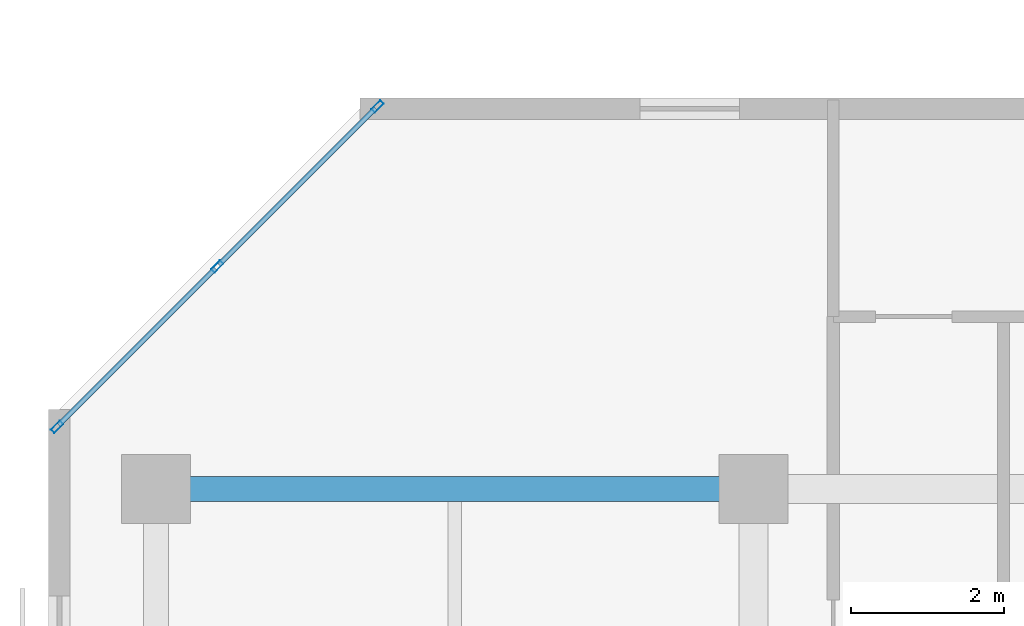
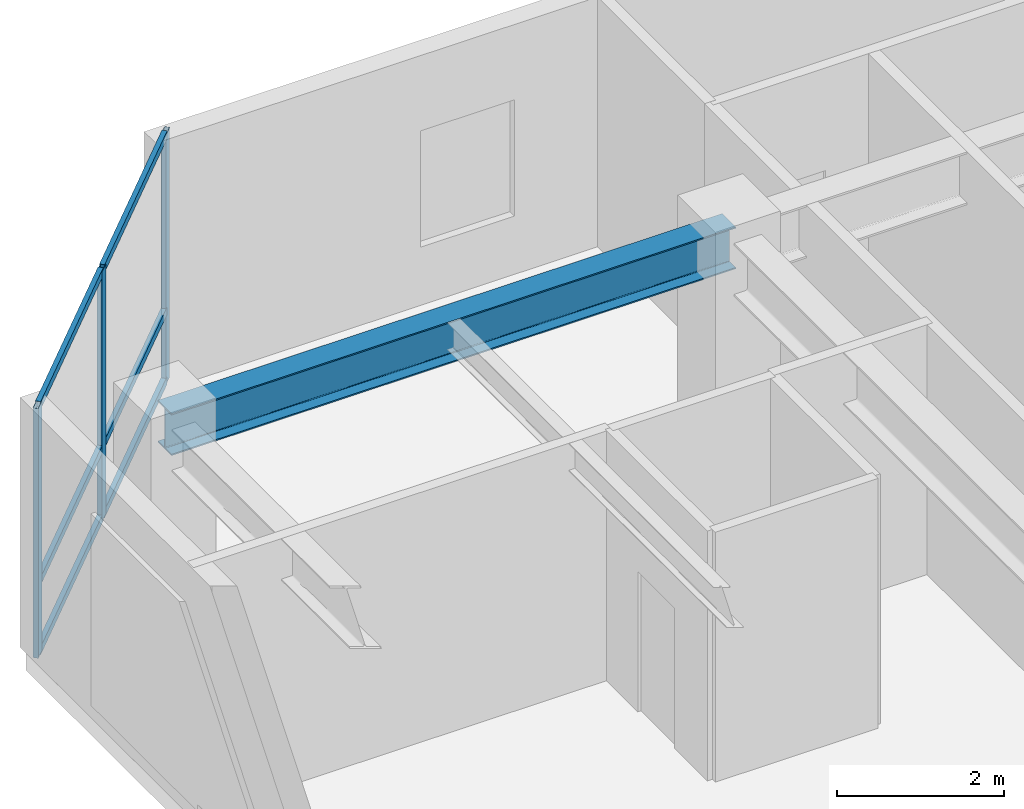
# One storey, part 2 of 10: 9 members, 1 beam, 1 element without a shape of its own.
"""IFC4 building model written with IfcOpenShell, lengths in metres."""

from ifc_helpers import new_model, si_unit, direction, frame, origin, origin_2d, place, context, subcontext, project, spatial, hollow_rectangle, i_section, extrude, material, layer, layer_set, material_profile, profile_set, type_object, element, aggregate, save


model = new_model("IFC4")

# Units and contexts
model_context = context("Model", 3, precision=1e-05, world=origin(), true_north=direction((0.0, 1.0)))
body_context = subcontext(model_context, "Body", "Model", "MODEL_VIEW")
ifc_project = project(units=[si_unit("LENGTHUNIT", "METRE"), si_unit("AREAUNIT", "SQUARE_METRE"), si_unit("VOLUMEUNIT", "CUBIC_METRE"), si_unit("PLANEANGLEUNIT", "RADIAN"), si_unit("MASSUNIT", "GRAM", prefix="KILO")], contexts=[model_context])

# Site, building, storey
site_placement = place(None, origin())
site = spatial("IfcSite", under=ifc_project, at=site_placement, CompositionType="ELEMENT")
building_placement = place(site_placement, origin())
building = spatial("IfcBuilding", under=site, at=building_placement, Name="Kestravale Grand Hotel", CompositionType="ELEMENT")
storey_placement = place(building_placement, frame((0.0, 0.0, 212.39990234375)))
storey = spatial("IfcBuildingStorey", under=building, at=storey_placement, Name="L53", CompositionType="ELEMENT", Elevation=212.39990234375)

# Beam
ifc_material_1 = material(Name="Steel ASTM A992 Grade 50", Category="steel")
ifc_material_profile_1 = material_profile(ifc_material_1, i_section(OverallWidth=0.324951171875, OverallDepth=0.612060546875, WebThickness=0.0126953125, FlangeThickness=0.01904296875, FilletRadius=0.018798828125, at=origin_2d()))
ifc_profile_set_1 = profile_set([ifc_material_profile_1], Name="Steel ASTM A992 Grade 50")
beam_type = type_object("IfcBeamType", Name="B-FLR-W24A", PredefinedType="SPANDREL", material=ifc_profile_set_1)
beam_placement = place(storey_placement, frame((7.800048828125, 38.39990234375, 3.343994140625), z_axis=(1.0, 0.0, 0.0), x_axis=(0.0, 1.0, 0.0)))
element("IfcBeam", 1, at=beam_placement, inside=storey, type_object=beam_type, Name="L53 spandrel F:2-3", PredefinedType="SPANDREL", context=body_context, shape_type="SweptSolid", body=[
    extrude(i_section(OverallWidth=0.324951171875, OverallDepth=0.612060546875, WebThickness=0.0126953125, FlangeThickness=0.01904296875, FilletRadius=0.018798828125, at=origin_2d()), origin(), (0.0, 0.0, 1.0), 7.800048828125),
])

# Curtain wall, members
ifc_material_2 = material(Name="Thermally broken champagne-bronze aluminium and low-E glazing", Category="aluminium")
ifc_layer = layer(ifc_material_2, 0.179931640625)
ifc_layer_set = layer_set([ifc_layer], Name="CW-Z3")
curtain_wall_type = type_object("IfcCurtainWallType", Name="CW-Z3", PredefinedType="NOTDEFINED", material=ifc_layer_set)
curtain_wall_placement = place(storey_placement, origin())
curtain_wall = element("IfcCurtainWall", 2, at=curtain_wall_placement, inside=storey, type_object=curtain_wall_type, Name="L53 unitised curtain wall 18", PredefinedType="NOTDEFINED")
ifc_material_3 = material(Name="Aluminium 6063-T6 anodised", Category="aluminium")
ifc_material_profile_2 = material_profile(ifc_material_3, hollow_rectangle(XDim=0.06494140625, YDim=0.1650390625, WallThickness=0.00341796875, at=origin_2d()))
ifc_profile_set_2 = profile_set([ifc_material_profile_2], Name="Aluminium 6063-T6 anodised")
member_type_1 = type_object("IfcMemberType", Name="CW-MUL-165", PredefinedType="MULLION", material=ifc_profile_set_2)
member_1_placement = place(storey_placement, frame((10.690185546875, 43.392333984375, 0.0), z_axis=(0.0, 0.0, 1.0), x_axis=(0.707106781187, -0.707106781187, 0.0)))
member_1 = element("IfcMember", 3, at=member_1_placement, type_object=member_type_1, Name="CW-Z3 mullion 1", PredefinedType="MULLION", context=body_context, shape_type="SweptSolid", body=[
    extrude(hollow_rectangle(XDim=0.06494140625, YDim=0.1650390625, WallThickness=0.00341796875, at=origin_2d()), origin(), (0.0, 0.0, 1.0), 3.650146484375),
])
member_2_placement = place(storey_placement, frame((8.59912109375, 41.301025390625, 0.0), z_axis=(0.0, 0.0, 1.0), x_axis=(0.707106781187, -0.707106781187, 0.0)))
member_2 = element("IfcMember", 4, at=member_2_placement, type_object=member_type_1, Name="CW-Z3 mullion 2", PredefinedType="MULLION", context=body_context, shape_type="SweptSolid", body=[
    extrude(hollow_rectangle(XDim=0.06494140625, YDim=0.1650390625, WallThickness=0.00341796875, at=origin_2d()), origin(), (0.0, 0.0, 1.0), 3.650146484375),
])
member_3_placement = place(storey_placement, frame((6.5078125, 39.209716796875, 0.0), z_axis=(0.0, 0.0, 1.0), x_axis=(0.707106781187, -0.707106781187, 0.0)))
member_3 = element("IfcMember", 5, at=member_3_placement, type_object=member_type_1, Name="CW-Z3 mullion 3", PredefinedType="MULLION", context=body_context, shape_type="SweptSolid", body=[
    extrude(hollow_rectangle(XDim=0.06494140625, YDim=0.1650390625, WallThickness=0.00341796875, at=origin_2d()), origin(), (0.0, 0.0, 1.0), 3.650146484375),
])
ifc_material_4 = material(Name="Aluminium 6063-T6 anodised", Category="aluminium")
ifc_material_profile_3 = material_profile(ifc_material_4, hollow_rectangle(XDim=0.06494140625, YDim=0.114990234375, WallThickness=0.003173828125, at=origin_2d()))
ifc_profile_set_3 = profile_set([ifc_material_profile_3], Name="Aluminium 6063-T6 anodised")
member_type_2 = type_object("IfcMemberType", Name="CW-TRN-115", PredefinedType="USERDEFINED", material=ifc_profile_set_3)
member_4_placement = place(storey_placement, frame((10.667236328125, 43.369140625, 0.03271484375), z_axis=(-0.707106781187, -0.707106781187, 0.0), x_axis=(0.707106781187, -0.707106781187, 0.0)))
member_4 = element("IfcMember", 6, at=member_4_placement, type_object=member_type_2, Name="CW-Z3 transom 1.1", ObjectType="TRANSOM", PredefinedType="USERDEFINED", context=body_context, shape_type="SweptSolid", body=[
    extrude(hollow_rectangle(XDim=0.06494140625, YDim=0.114990234375, WallThickness=0.003173828125, at=origin_2d()), origin(), (0.0, 0.0, 1.0), 2.892333984375),
])
member_5_placement = place(storey_placement, frame((10.667236328125, 43.369140625, 1.050048828125), z_axis=(-0.707106781187, -0.707106781187, 0.0), x_axis=(0.707106781187, -0.707106781187, 0.0)))
member_5 = element("IfcMember", 7, at=member_5_placement, type_object=member_type_2, Name="CW-Z3 transom 1.2", ObjectType="TRANSOM", PredefinedType="USERDEFINED", context=body_context, shape_type="SweptSolid", body=[
    extrude(hollow_rectangle(XDim=0.06494140625, YDim=0.114990234375, WallThickness=0.003173828125, at=origin_2d()), origin(), (0.0, 0.0, 1.0), 2.892333984375),
])
member_6_placement = place(storey_placement, frame((10.667236328125, 43.369140625, 3.61767578125), z_axis=(-0.707106781187, -0.707106781187, 0.0), x_axis=(0.707106781187, -0.707106781187, 0.0)))
member_6 = element("IfcMember", 8, at=member_6_placement, type_object=member_type_2, Name="CW-Z3 transom 1.3", ObjectType="TRANSOM", PredefinedType="USERDEFINED", context=body_context, shape_type="SweptSolid", body=[
    extrude(hollow_rectangle(XDim=0.06494140625, YDim=0.114990234375, WallThickness=0.003173828125, at=origin_2d()), origin(), (0.0, 0.0, 1.0), 2.892333984375),
])
member_7_placement = place(storey_placement, frame((8.575927734375, 41.278076171875, 0.03271484375), z_axis=(-0.707064577195, -0.707148982659, 0.0), x_axis=(0.707148982659, -0.707064577195, 0.0)))
member_7 = element("IfcMember", 9, at=member_7_placement, type_object=member_type_2, Name="CW-Z3 transom 2.1", ObjectType="TRANSOM", PredefinedType="USERDEFINED", context=body_context, shape_type="SweptSolid", body=[
    extrude(hollow_rectangle(XDim=0.06494140625, YDim=0.114990234375, WallThickness=0.003173828125, at=origin_2d()), origin(), (0.0, 0.0, 1.0), 2.892578125),
])
member_8_placement = place(storey_placement, frame((8.575927734375, 41.278076171875, 1.050048828125), z_axis=(-0.707064577195, -0.707148982659, 0.0), x_axis=(0.707148982659, -0.707064577195, 0.0)))
member_8 = element("IfcMember", 10, at=member_8_placement, type_object=member_type_2, Name="CW-Z3 transom 2.2", ObjectType="TRANSOM", PredefinedType="USERDEFINED", context=body_context, shape_type="SweptSolid", body=[
    extrude(hollow_rectangle(XDim=0.06494140625, YDim=0.114990234375, WallThickness=0.003173828125, at=origin_2d()), origin(), (0.0, 0.0, 1.0), 2.892578125),
])
member_9_placement = place(storey_placement, frame((8.575927734375, 41.278076171875, 3.61767578125), z_axis=(-0.707064577195, -0.707148982659, 0.0), x_axis=(0.707148982659, -0.707064577195, 0.0)))
member_9 = element("IfcMember", 11, at=member_9_placement, type_object=member_type_2, Name="CW-Z3 transom 2.3", ObjectType="TRANSOM", PredefinedType="USERDEFINED", context=body_context, shape_type="SweptSolid", body=[
    extrude(hollow_rectangle(XDim=0.06494140625, YDim=0.114990234375, WallThickness=0.003173828125, at=origin_2d()), origin(), (0.0, 0.0, 1.0), 2.892578125),
])
aggregate(curtain_wall, [member_1, member_2, member_3, member_4, member_5, member_6, member_7, member_8, member_9])

save(model, "model.ifc")
